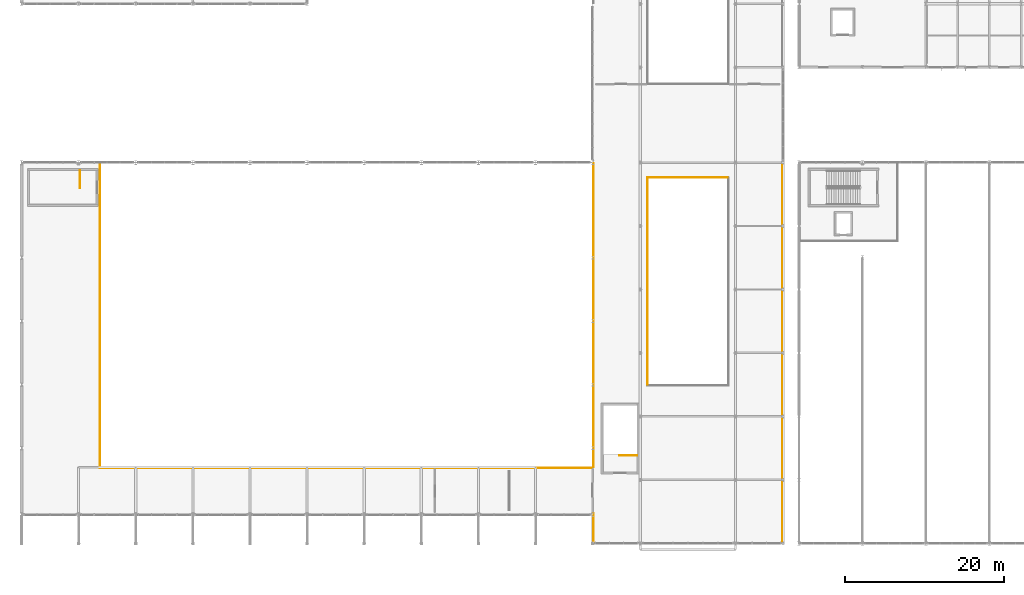
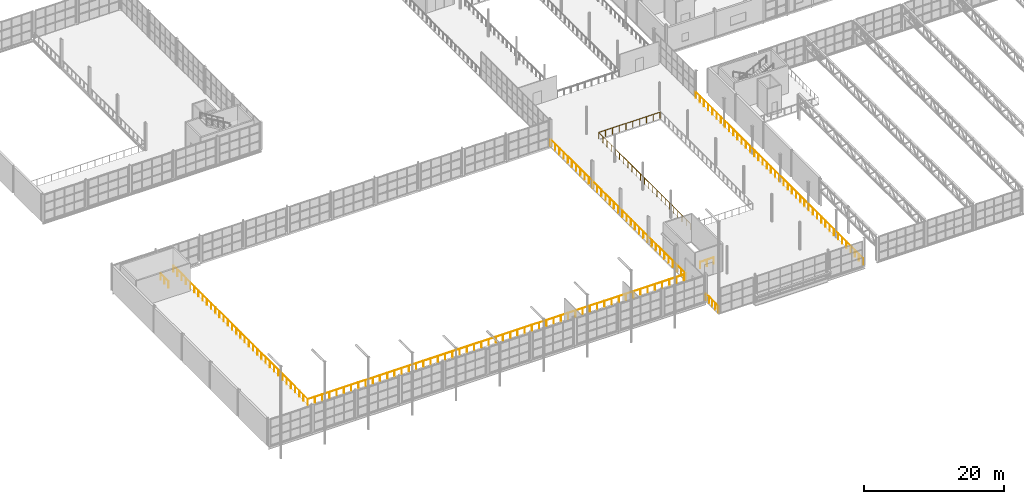
# One storey, part 131 of 143: 7 railings.
"""IFC4 building model written with IfcOpenShell, lengths in metres."""

from ifc_helpers import new_model, si_unit, derived_unit, direction, frame, origin, origin_2d, place, context, subcontext, project, spatial, circle, extrude, material, type_object, element, save


model = new_model("IFC4")

# Units and contexts
model_context = context("Model", 3, precision=1e-05, world=origin(), true_north=direction((0.0, 1.0)))
body_context = subcontext(model_context, "Body", "Model", "MODEL_VIEW")
ifc_project = project(units=[si_unit("LENGTHUNIT", "METRE"), si_unit("AREAUNIT", "SQUARE_METRE"), si_unit("VOLUMEUNIT", "CUBIC_METRE"), si_unit("PLANEANGLEUNIT", "RADIAN"), si_unit("MASSUNIT", "GRAM", prefix="KILO"), derived_unit("THERMALTRANSMITTANCEUNIT", [(si_unit("POWERUNIT", "WATT"), 1), (si_unit("LENGTHUNIT", "METRE"), -2), (si_unit("THERMODYNAMICTEMPERATUREUNIT", "KELVIN"), -1)])], contexts=[model_context])

# Site, building, storey
site_placement = place(None, origin())
site = spatial("IfcSite", under=ifc_project, at=site_placement, CompositionType="ELEMENT")
building_placement = place(site_placement, origin())
building = spatial("IfcBuilding", under=site, at=building_placement, Name="Keldorne Ridge Multi-Sports Centre", CompositionType="ELEMENT")
storey_placement = place(building_placement, frame((0.0, 0.0, 4.800048828125)))
storey = spatial("IfcBuildingStorey", under=building, at=storey_placement, Name="L01", CompositionType="ELEMENT", Elevation=4.800048828125)

# Railings
ifc_material_1 = material(Name="Laminated glass and stainless steel", Category="steel")
railing_type_1 = type_object("IfcRailingType", Name="RLG-BL-01", PredefinedType="BALUSTRADE", material=ifc_material_1)
railing_1_placement = place(storey_placement, frame((83.60009765625, 17.050048828125, 0.0)))
element("IfcRailing", 1, at=railing_1_placement, inside=storey, type_object=railing_type_1, Name="L01 ST-07 top well guard 1", PredefinedType="BALUSTRADE", context=body_context, shape_type="SweptSolid", body=[
    extrude(circle(Radius=0.02392578125, at=origin_2d()), frame((0.0, 0.0, 1.076171875), z_axis=(-1.0, 0.0, 0.0), x_axis=(0.0, -1.0, 0.0)), (0.0, 0.0, 1.0), 2.239990234375),
    extrude(circle(Radius=0.02099609375, at=origin_2d()), origin(), (0.0, 0.0, 1.0), 1.052001953125),
    extrude(circle(Radius=0.02099609375, at=origin_2d()), frame((-1.1201171875, 0.0, 0.0)), (0.0, 0.0, 1.0), 1.052001953125),
    extrude(circle(Radius=0.02099609375, at=origin_2d()), frame((-2.239990234375, 0.0, 0.0)), (0.0, 0.0, 1.0), 1.052001953125),
])
railing_2_placement = place(storey_placement, frame((13.35009765625, 53.0, 0.0)))
element("IfcRailing", 2, at=railing_2_placement, inside=storey, type_object=railing_type_1, Name="L01 ST-09 top well guard 1", PredefinedType="BALUSTRADE", context=body_context, shape_type="SweptSolid", body=[
    extrude(circle(Radius=0.02392578125, at=origin_2d()), frame((0.0, 0.0, 1.076171875), z_axis=(0.0, -1.0, 0.0), x_axis=(1.0, 0.0, 0.0)), (0.0, 0.0, 1.0), 2.22998046875),
    extrude(circle(Radius=0.02099609375, at=origin_2d()), origin(), (0.0, 0.0, 1.0), 1.052001953125),
    extrude(circle(Radius=0.02099609375, at=origin_2d()), frame((0.0, -1.114990234375, 0.0)), (0.0, 0.0, 1.0), 1.052001953125),
    extrude(circle(Radius=0.02099609375, at=origin_2d()), frame((0.0, -2.22998046875, 0.0)), (0.0, 0.0, 1.0), 1.052001953125),
])
railing_3_placement = place(storey_placement, frame((77.800048828125, 15.5, 0.0)))
element("IfcRailing", 3, at=railing_3_placement, inside=storey, type_object=railing_type_1, Name="Safety balustrade RLG-V1-MEZZ", PredefinedType="BALUSTRADE", context=body_context, shape_type="SweptSolid", body=[
    extrude(circle(Radius=0.02392578125, at=origin_2d()), frame((0.0, 0.0, 1.076171875), z_axis=(-1.0, 0.0, 0.0), x_axis=(0.0, -1.0, 0.0)), (0.0, 0.0, 1.0), 61.900146484375),
    extrude(circle(Radius=0.02392578125, at=origin_2d()), frame((-61.900146484375, 0.0, 1.076171875), z_axis=(0.0, 1.0, 0.0), x_axis=(-1.0, 0.0, 0.0)), (0.0, 0.0, 1.0), 38.300048828125),
    extrude(circle(Radius=0.02099609375, at=origin_2d()), origin(), (0.0, 0.0, 1.0), 1.052001953125),
    extrude(circle(Radius=0.02099609375, at=origin_2d()), frame((-1.1904296875, 0.0, 0.0)), (0.0, 0.0, 1.0), 1.052001953125),
    extrude(circle(Radius=0.02099609375, at=origin_2d()), frame((-2.380859375, 0.0, 0.0)), (0.0, 0.0, 1.0), 1.052001953125),
    extrude(circle(Radius=0.02099609375, at=origin_2d()), frame((-3.571044921875, 0.0, 0.0)), (0.0, 0.0, 1.0), 1.052001953125),
    extrude(circle(Radius=0.02099609375, at=origin_2d()), frame((-4.761474609375, 0.0, 0.0)), (0.0, 0.0, 1.0), 1.052001953125),
    extrude(circle(Radius=0.02099609375, at=origin_2d()), frame((-5.951904296875, 0.0, 0.0)), (0.0, 0.0, 1.0), 1.052001953125),
    extrude(circle(Radius=0.02099609375, at=origin_2d()), frame((-7.142333984375, 0.0, 0.0)), (0.0, 0.0, 1.0), 1.052001953125),
    extrude(circle(Radius=0.02099609375, at=origin_2d()), frame((-8.332763671875, 0.0, 0.0)), (0.0, 0.0, 1.0), 1.052001953125),
    extrude(circle(Radius=0.02099609375, at=origin_2d()), frame((-9.523193359375, 0.0, 0.0)), (0.0, 0.0, 1.0), 1.052001953125),
    extrude(circle(Radius=0.02099609375, at=origin_2d()), frame((-10.71337890625, 0.0, 0.0)), (0.0, 0.0, 1.0), 1.052001953125),
    extrude(circle(Radius=0.02099609375, at=origin_2d()), frame((-11.90380859375, 0.0, 0.0)), (0.0, 0.0, 1.0), 1.052001953125),
    extrude(circle(Radius=0.02099609375, at=origin_2d()), frame((-13.09423828125, 0.0, 0.0)), (0.0, 0.0, 1.0), 1.052001953125),
    extrude(circle(Radius=0.02099609375, at=origin_2d()), frame((-14.28466796875, 0.0, 0.0)), (0.0, 0.0, 1.0), 1.052001953125),
    extrude(circle(Radius=0.02099609375, at=origin_2d()), frame((-15.47509765625, 0.0, 0.0)), (0.0, 0.0, 1.0), 1.052001953125),
    extrude(circle(Radius=0.02099609375, at=origin_2d()), frame((-16.66552734375, 0.0, 0.0)), (0.0, 0.0, 1.0), 1.052001953125),
    extrude(circle(Radius=0.02099609375, at=origin_2d()), frame((-17.855712890625, 0.0, 0.0)), (0.0, 0.0, 1.0), 1.052001953125),
    extrude(circle(Radius=0.02099609375, at=origin_2d()), frame((-19.046142578125, 0.0, 0.0)), (0.0, 0.0, 1.0), 1.052001953125),
    extrude(circle(Radius=0.02099609375, at=origin_2d()), frame((-20.236572265625, 0.0, 0.0)), (0.0, 0.0, 1.0), 1.052001953125),
    extrude(circle(Radius=0.02099609375, at=origin_2d()), frame((-21.427001953125, 0.0, 0.0)), (0.0, 0.0, 1.0), 1.052001953125),
    extrude(circle(Radius=0.02099609375, at=origin_2d()), frame((-22.617431640625, 0.0, 0.0)), (0.0, 0.0, 1.0), 1.052001953125),
    extrude(circle(Radius=0.02099609375, at=origin_2d()), frame((-23.807861328125, 0.0, 0.0)), (0.0, 0.0, 1.0), 1.052001953125),
    extrude(circle(Radius=0.02099609375, at=origin_2d()), frame((-24.998046875, 0.0, 0.0)), (0.0, 0.0, 1.0), 1.052001953125),
    extrude(circle(Radius=0.02099609375, at=origin_2d()), frame((-26.1884765625, 0.0, 0.0)), (0.0, 0.0, 1.0), 1.052001953125),
    extrude(circle(Radius=0.02099609375, at=origin_2d()), frame((-27.37890625, 0.0, 0.0)), (0.0, 0.0, 1.0), 1.052001953125),
    extrude(circle(Radius=0.02099609375, at=origin_2d()), frame((-28.5693359375, 0.0, 0.0)), (0.0, 0.0, 1.0), 1.052001953125),
    extrude(circle(Radius=0.02099609375, at=origin_2d()), frame((-29.759765625, 0.0, 0.0)), (0.0, 0.0, 1.0), 1.052001953125),
    extrude(circle(Radius=0.02099609375, at=origin_2d()), frame((-30.9501953125, 0.0, 0.0)), (0.0, 0.0, 1.0), 1.052001953125),
    extrude(circle(Radius=0.02099609375, at=origin_2d()), frame((-32.140380859375, 0.0, 0.0)), (0.0, 0.0, 1.0), 1.052001953125),
    extrude(circle(Radius=0.02099609375, at=origin_2d()), frame((-33.330810546875, 0.0, 0.0)), (0.0, 0.0, 1.0), 1.052001953125),
    extrude(circle(Radius=0.02099609375, at=origin_2d()), frame((-34.521240234375, 0.0, 0.0)), (0.0, 0.0, 1.0), 1.052001953125),
    extrude(circle(Radius=0.02099609375, at=origin_2d()), frame((-35.711669921875, 0.0, 0.0)), (0.0, 0.0, 1.0), 1.052001953125),
    extrude(circle(Radius=0.02099609375, at=origin_2d()), frame((-36.902099609375, 0.0, 0.0)), (0.0, 0.0, 1.0), 1.052001953125),
    extrude(circle(Radius=0.02099609375, at=origin_2d()), frame((-38.09228515625, 0.0, 0.0)), (0.0, 0.0, 1.0), 1.052001953125),
    extrude(circle(Radius=0.02099609375, at=origin_2d()), frame((-39.28271484375, 0.0, 0.0)), (0.0, 0.0, 1.0), 1.052001953125),
    extrude(circle(Radius=0.02099609375, at=origin_2d()), frame((-40.47314453125, 0.0, 0.0)), (0.0, 0.0, 1.0), 1.052001953125),
    extrude(circle(Radius=0.02099609375, at=origin_2d()), frame((-41.66357421875, 0.0, 0.0)), (0.0, 0.0, 1.0), 1.052001953125),
    extrude(circle(Radius=0.02099609375, at=origin_2d()), frame((-42.85400390625, 0.0, 0.0)), (0.0, 0.0, 1.0), 1.052001953125),
    extrude(circle(Radius=0.02099609375, at=origin_2d()), frame((-44.04443359375, 0.0, 0.0)), (0.0, 0.0, 1.0), 1.052001953125),
    extrude(circle(Radius=0.02099609375, at=origin_2d()), frame((-45.234619140625, 0.0, 0.0)), (0.0, 0.0, 1.0), 1.052001953125),
    extrude(circle(Radius=0.02099609375, at=origin_2d()), frame((-46.425048828125, 0.0, 0.0)), (0.0, 0.0, 1.0), 1.052001953125),
    extrude(circle(Radius=0.02099609375, at=origin_2d()), frame((-47.615478515625, 0.0, 0.0)), (0.0, 0.0, 1.0), 1.052001953125),
    extrude(circle(Radius=0.02099609375, at=origin_2d()), frame((-48.805908203125, 0.0, 0.0)), (0.0, 0.0, 1.0), 1.052001953125),
    extrude(circle(Radius=0.02099609375, at=origin_2d()), frame((-49.996337890625, 0.0, 0.0)), (0.0, 0.0, 1.0), 1.052001953125),
    extrude(circle(Radius=0.02099609375, at=origin_2d()), frame((-51.186767578125, 0.0, 0.0)), (0.0, 0.0, 1.0), 1.052001953125),
    extrude(circle(Radius=0.02099609375, at=origin_2d()), frame((-52.376953125, 0.0, 0.0)), (0.0, 0.0, 1.0), 1.052001953125),
    extrude(circle(Radius=0.02099609375, at=origin_2d()), frame((-53.5673828125, 0.0, 0.0)), (0.0, 0.0, 1.0), 1.052001953125),
    extrude(circle(Radius=0.02099609375, at=origin_2d()), frame((-54.7578125, 0.0, 0.0)), (0.0, 0.0, 1.0), 1.052001953125),
    extrude(circle(Radius=0.02099609375, at=origin_2d()), frame((-55.9482421875, 0.0, 0.0)), (0.0, 0.0, 1.0), 1.052001953125),
    extrude(circle(Radius=0.02099609375, at=origin_2d()), frame((-57.138671875, 0.0, 0.0)), (0.0, 0.0, 1.0), 1.052001953125),
    extrude(circle(Radius=0.02099609375, at=origin_2d()), frame((-58.3291015625, 0.0, 0.0)), (0.0, 0.0, 1.0), 1.052001953125),
    extrude(circle(Radius=0.02099609375, at=origin_2d()), frame((-59.519287109375, 0.0, 0.0)), (0.0, 0.0, 1.0), 1.052001953125),
    extrude(circle(Radius=0.02099609375, at=origin_2d()), frame((-60.709716796875, 0.0, 0.0)), (0.0, 0.0, 1.0), 1.052001953125),
    extrude(circle(Radius=0.02099609375, at=origin_2d()), frame((-61.900146484375, 0.0, 0.0)), (0.0, 0.0, 1.0), 1.052001953125),
    extrude(circle(Radius=0.02099609375, at=origin_2d()), frame((-61.900146484375, 1.19677734375, 0.0)), (0.0, 0.0, 1.0), 1.052001953125),
    extrude(circle(Radius=0.02099609375, at=origin_2d()), frame((-61.900146484375, 2.393798828125, 0.0)), (0.0, 0.0, 1.0), 1.052001953125),
    extrude(circle(Radius=0.02099609375, at=origin_2d()), frame((-61.900146484375, 3.590576171875, 0.0)), (0.0, 0.0, 1.0), 1.052001953125),
    extrude(circle(Radius=0.02099609375, at=origin_2d()), frame((-61.900146484375, 4.78759765625, 0.0)), (0.0, 0.0, 1.0), 1.052001953125),
    extrude(circle(Radius=0.02099609375, at=origin_2d()), frame((-61.900146484375, 5.984375, 0.0)), (0.0, 0.0, 1.0), 1.052001953125),
    extrude(circle(Radius=0.02099609375, at=origin_2d()), frame((-61.900146484375, 7.18115234375, 0.0)), (0.0, 0.0, 1.0), 1.052001953125),
    extrude(circle(Radius=0.02099609375, at=origin_2d()), frame((-61.900146484375, 8.378173828125, 0.0)), (0.0, 0.0, 1.0), 1.052001953125),
    extrude(circle(Radius=0.02099609375, at=origin_2d()), frame((-61.900146484375, 9.574951171875, 0.0)), (0.0, 0.0, 1.0), 1.052001953125),
    extrude(circle(Radius=0.02099609375, at=origin_2d()), frame((-61.900146484375, 10.77197265625, 0.0)), (0.0, 0.0, 1.0), 1.052001953125),
    extrude(circle(Radius=0.02099609375, at=origin_2d()), frame((-61.900146484375, 11.96875, 0.0)), (0.0, 0.0, 1.0), 1.052001953125),
    extrude(circle(Radius=0.02099609375, at=origin_2d()), frame((-61.900146484375, 13.16552734375, 0.0)), (0.0, 0.0, 1.0), 1.052001953125),
    extrude(circle(Radius=0.02099609375, at=origin_2d()), frame((-61.900146484375, 14.362548828125, 0.0)), (0.0, 0.0, 1.0), 1.052001953125),
    extrude(circle(Radius=0.02099609375, at=origin_2d()), frame((-61.900146484375, 15.559326171875, 0.0)), (0.0, 0.0, 1.0), 1.052001953125),
    extrude(circle(Radius=0.02099609375, at=origin_2d()), frame((-61.900146484375, 16.75634765625, 0.0)), (0.0, 0.0, 1.0), 1.052001953125),
    extrude(circle(Radius=0.02099609375, at=origin_2d()), frame((-61.900146484375, 17.953125, 0.0)), (0.0, 0.0, 1.0), 1.052001953125),
    extrude(circle(Radius=0.02099609375, at=origin_2d()), frame((-61.900146484375, 19.14990234375, 0.0)), (0.0, 0.0, 1.0), 1.052001953125),
    extrude(circle(Radius=0.02099609375, at=origin_2d()), frame((-61.900146484375, 20.346923828125, 0.0)), (0.0, 0.0, 1.0), 1.052001953125),
    extrude(circle(Radius=0.02099609375, at=origin_2d()), frame((-61.900146484375, 21.543701171875, 0.0)), (0.0, 0.0, 1.0), 1.052001953125),
    extrude(circle(Radius=0.02099609375, at=origin_2d()), frame((-61.900146484375, 22.74072265625, 0.0)), (0.0, 0.0, 1.0), 1.052001953125),
    extrude(circle(Radius=0.02099609375, at=origin_2d()), frame((-61.900146484375, 23.9375, 0.0)), (0.0, 0.0, 1.0), 1.052001953125),
    extrude(circle(Radius=0.02099609375, at=origin_2d()), frame((-61.900146484375, 25.134521484375, 0.0)), (0.0, 0.0, 1.0), 1.052001953125),
    extrude(circle(Radius=0.02099609375, at=origin_2d()), frame((-61.900146484375, 26.331298828125, 0.0)), (0.0, 0.0, 1.0), 1.052001953125),
    extrude(circle(Radius=0.02099609375, at=origin_2d()), frame((-61.900146484375, 27.528076171875, 0.0)), (0.0, 0.0, 1.0), 1.052001953125),
    extrude(circle(Radius=0.02099609375, at=origin_2d()), frame((-61.900146484375, 28.72509765625, 0.0)), (0.0, 0.0, 1.0), 1.052001953125),
    extrude(circle(Radius=0.02099609375, at=origin_2d()), frame((-61.900146484375, 29.921875, 0.0)), (0.0, 0.0, 1.0), 1.052001953125),
    extrude(circle(Radius=0.02099609375, at=origin_2d()), frame((-61.900146484375, 31.118896484375, 0.0)), (0.0, 0.0, 1.0), 1.052001953125),
    extrude(circle(Radius=0.02099609375, at=origin_2d()), frame((-61.900146484375, 32.315673828125, 0.0)), (0.0, 0.0, 1.0), 1.052001953125),
    extrude(circle(Radius=0.02099609375, at=origin_2d()), frame((-61.900146484375, 33.512451171875, 0.0)), (0.0, 0.0, 1.0), 1.052001953125),
    extrude(circle(Radius=0.02099609375, at=origin_2d()), frame((-61.900146484375, 34.70947265625, 0.0)), (0.0, 0.0, 1.0), 1.052001953125),
    extrude(circle(Radius=0.02099609375, at=origin_2d()), frame((-61.900146484375, 35.90625, 0.0)), (0.0, 0.0, 1.0), 1.052001953125),
    extrude(circle(Radius=0.02099609375, at=origin_2d()), frame((-61.900146484375, 37.103271484375, 0.0)), (0.0, 0.0, 1.0), 1.052001953125),
    extrude(circle(Radius=0.02099609375, at=origin_2d()), frame((-61.900146484375, 38.300048828125, 0.0)), (0.0, 0.0, 1.0), 1.052001953125),
])
ifc_material_2 = material(Name="Painted steel", Category="steel")
railing_type_2 = type_object("IfcRailingType", Name="RLG-BL-02", PredefinedType="BALUSTRADE", material=ifc_material_2)
railing_4_placement = place(storey_placement, frame((78.10009765625, 15.60009765625, 0.0)))
element("IfcRailing", 4, at=railing_4_placement, inside=storey, type_object=railing_type_2, Name="Safety balustrade RLG-V4-WEST-S", PredefinedType="BALUSTRADE", context=body_context, shape_type="SweptSolid", body=[
    extrude(circle(Radius=0.02392578125, at=origin_2d()), frame((0.0, 0.0, 1.1259765625), z_axis=(0.0, 1.0, 0.0), x_axis=(-1.0, 0.0, 0.0)), (0.0, 0.0, 1.0), 38.2998046875),
    extrude(circle(Radius=0.02099609375, at=origin_2d()), origin(), (0.0, 0.0, 1.0), 1.101806640625),
    extrude(circle(Radius=0.02099609375, at=origin_2d()), frame((0.0, 1.19677734375, 0.0)), (0.0, 0.0, 1.0), 1.101806640625),
    extrude(circle(Radius=0.02099609375, at=origin_2d()), frame((0.0, 2.393798828125, 0.0)), (0.0, 0.0, 1.0), 1.101806640625),
    extrude(circle(Radius=0.02099609375, at=origin_2d()), frame((0.0, 3.590576171875, 0.0)), (0.0, 0.0, 1.0), 1.101806640625),
    extrude(circle(Radius=0.02099609375, at=origin_2d()), frame((0.0, 4.78759765625, 0.0)), (0.0, 0.0, 1.0), 1.101806640625),
    extrude(circle(Radius=0.02099609375, at=origin_2d()), frame((0.0, 5.984375, 0.0)), (0.0, 0.0, 1.0), 1.101806640625),
    extrude(circle(Radius=0.02099609375, at=origin_2d()), frame((0.0, 7.18115234375, 0.0)), (0.0, 0.0, 1.0), 1.101806640625),
    extrude(circle(Radius=0.02099609375, at=origin_2d()), frame((0.0, 8.378173828125, 0.0)), (0.0, 0.0, 1.0), 1.101806640625),
    extrude(circle(Radius=0.02099609375, at=origin_2d()), frame((0.0, 9.574951171875, 0.0)), (0.0, 0.0, 1.0), 1.101806640625),
    extrude(circle(Radius=0.02099609375, at=origin_2d()), frame((0.0, 10.771728515625, 0.0)), (0.0, 0.0, 1.0), 1.101806640625),
    extrude(circle(Radius=0.02099609375, at=origin_2d()), frame((0.0, 11.96875, 0.0)), (0.0, 0.0, 1.0), 1.101806640625),
    extrude(circle(Radius=0.02099609375, at=origin_2d()), frame((0.0, 13.16552734375, 0.0)), (0.0, 0.0, 1.0), 1.101806640625),
    extrude(circle(Radius=0.02099609375, at=origin_2d()), frame((0.0, 14.3623046875, 0.0)), (0.0, 0.0, 1.0), 1.101806640625),
    extrude(circle(Radius=0.02099609375, at=origin_2d()), frame((0.0, 15.559326171875, 0.0)), (0.0, 0.0, 1.0), 1.101806640625),
    extrude(circle(Radius=0.02099609375, at=origin_2d()), frame((0.0, 16.756103515625, 0.0)), (0.0, 0.0, 1.0), 1.101806640625),
    extrude(circle(Radius=0.02099609375, at=origin_2d()), frame((0.0, 17.953125, 0.0)), (0.0, 0.0, 1.0), 1.101806640625),
    extrude(circle(Radius=0.02099609375, at=origin_2d()), frame((0.0, 19.14990234375, 0.0)), (0.0, 0.0, 1.0), 1.101806640625),
    extrude(circle(Radius=0.02099609375, at=origin_2d()), frame((0.0, 20.3466796875, 0.0)), (0.0, 0.0, 1.0), 1.101806640625),
    extrude(circle(Radius=0.02099609375, at=origin_2d()), frame((0.0, 21.543701171875, 0.0)), (0.0, 0.0, 1.0), 1.101806640625),
    extrude(circle(Radius=0.02099609375, at=origin_2d()), frame((0.0, 22.740478515625, 0.0)), (0.0, 0.0, 1.0), 1.101806640625),
    extrude(circle(Radius=0.02099609375, at=origin_2d()), frame((0.0, 23.9375, 0.0)), (0.0, 0.0, 1.0), 1.101806640625),
    extrude(circle(Radius=0.02099609375, at=origin_2d()), frame((0.0, 25.13427734375, 0.0)), (0.0, 0.0, 1.0), 1.101806640625),
    extrude(circle(Radius=0.02099609375, at=origin_2d()), frame((0.0, 26.3310546875, 0.0)), (0.0, 0.0, 1.0), 1.101806640625),
    extrude(circle(Radius=0.02099609375, at=origin_2d()), frame((0.0, 27.528076171875, 0.0)), (0.0, 0.0, 1.0), 1.101806640625),
    extrude(circle(Radius=0.02099609375, at=origin_2d()), frame((0.0, 28.724853515625, 0.0)), (0.0, 0.0, 1.0), 1.101806640625),
    extrude(circle(Radius=0.02099609375, at=origin_2d()), frame((0.0, 29.921630859375, 0.0)), (0.0, 0.0, 1.0), 1.101806640625),
    extrude(circle(Radius=0.02099609375, at=origin_2d()), frame((0.0, 31.11865234375, 0.0)), (0.0, 0.0, 1.0), 1.101806640625),
    extrude(circle(Radius=0.02099609375, at=origin_2d()), frame((0.0, 32.3154296875, 0.0)), (0.0, 0.0, 1.0), 1.101806640625),
    extrude(circle(Radius=0.02099609375, at=origin_2d()), frame((0.0, 33.51220703125, 0.0)), (0.0, 0.0, 1.0), 1.101806640625),
    extrude(circle(Radius=0.02099609375, at=origin_2d()), frame((0.0, 34.709228515625, 0.0)), (0.0, 0.0, 1.0), 1.101806640625),
    extrude(circle(Radius=0.02099609375, at=origin_2d()), frame((0.0, 35.906005859375, 0.0)), (0.0, 0.0, 1.0), 1.101806640625),
    extrude(circle(Radius=0.02099609375, at=origin_2d()), frame((0.0, 37.10302734375, 0.0)), (0.0, 0.0, 1.0), 1.101806640625),
    extrude(circle(Radius=0.02099609375, at=origin_2d()), frame((0.0, 38.2998046875, 0.0)), (0.0, 0.0, 1.0), 1.101806640625),
])
railing_5_placement = place(storey_placement, frame((78.10009765625, 6.14990234375, 0.0)))
element("IfcRailing", 5, at=railing_5_placement, inside=storey, type_object=railing_type_2, Name="Safety balustrade RLG-V4-WEST-GS", PredefinedType="BALUSTRADE", context=body_context, shape_type="SweptSolid", body=[
    extrude(circle(Radius=0.02392578125, at=origin_2d()), frame((0.0, 0.0, 1.1259765625), z_axis=(0.0, 1.0, 0.0), x_axis=(-1.0, 0.0, 0.0)), (0.0, 0.0, 1.0), 3.60009765625),
    extrude(circle(Radius=0.02099609375, at=origin_2d()), origin(), (0.0, 0.0, 1.0), 1.101806640625),
    extrude(circle(Radius=0.02099609375, at=origin_2d()), frame((0.0, 0.89990234375, 0.0)), (0.0, 0.0, 1.0), 1.101806640625),
    extrude(circle(Radius=0.02099609375, at=origin_2d()), frame((0.0, 1.800048828125, 0.0)), (0.0, 0.0, 1.0), 1.101806640625),
    extrude(circle(Radius=0.02099609375, at=origin_2d()), frame((0.0, 2.7001953125, 0.0)), (0.0, 0.0, 1.0), 1.101806640625),
    extrude(circle(Radius=0.02099609375, at=origin_2d()), frame((0.0, 3.60009765625, 0.0)), (0.0, 0.0, 1.0), 1.101806640625),
])
railing_6_placement = place(storey_placement, frame((101.89990234375, 6.14990234375, 0.0)))
element("IfcRailing", 6, at=railing_6_placement, inside=storey, type_object=railing_type_2, Name="Safety balustrade RLG-V4-EAST-S", PredefinedType="BALUSTRADE", context=body_context, shape_type="SweptSolid", body=[
    extrude(circle(Radius=0.02392578125, at=origin_2d()), frame((0.0, 0.0, 1.1259765625), z_axis=(0.0, 1.0, 0.0), x_axis=(-1.0, 0.0, 0.0)), (0.0, 0.0, 1.0), 47.75),
    extrude(circle(Radius=0.02099609375, at=origin_2d()), origin(), (0.0, 0.0, 1.0), 1.101806640625),
    extrude(circle(Radius=0.02099609375, at=origin_2d()), frame((0.0, 1.19384765625, 0.0)), (0.0, 0.0, 1.0), 1.101806640625),
    extrude(circle(Radius=0.02099609375, at=origin_2d()), frame((0.0, 2.387451171875, 0.0)), (0.0, 0.0, 1.0), 1.101806640625),
    extrude(circle(Radius=0.02099609375, at=origin_2d()), frame((0.0, 3.581298828125, 0.0)), (0.0, 0.0, 1.0), 1.101806640625),
    extrude(circle(Radius=0.02099609375, at=origin_2d()), frame((0.0, 4.77490234375, 0.0)), (0.0, 0.0, 1.0), 1.101806640625),
    extrude(circle(Radius=0.02099609375, at=origin_2d()), frame((0.0, 5.96875, 0.0)), (0.0, 0.0, 1.0), 1.101806640625),
    extrude(circle(Radius=0.02099609375, at=origin_2d()), frame((0.0, 7.16259765625, 0.0)), (0.0, 0.0, 1.0), 1.101806640625),
    extrude(circle(Radius=0.02099609375, at=origin_2d()), frame((0.0, 8.356201171875, 0.0)), (0.0, 0.0, 1.0), 1.101806640625),
    extrude(circle(Radius=0.02099609375, at=origin_2d()), frame((0.0, 9.550048828125, 0.0)), (0.0, 0.0, 1.0), 1.101806640625),
    extrude(circle(Radius=0.02099609375, at=origin_2d()), frame((0.0, 10.74365234375, 0.0)), (0.0, 0.0, 1.0), 1.101806640625),
    extrude(circle(Radius=0.02099609375, at=origin_2d()), frame((0.0, 11.9375, 0.0)), (0.0, 0.0, 1.0), 1.101806640625),
    extrude(circle(Radius=0.02099609375, at=origin_2d()), frame((0.0, 13.13134765625, 0.0)), (0.0, 0.0, 1.0), 1.101806640625),
    extrude(circle(Radius=0.02099609375, at=origin_2d()), frame((0.0, 14.324951171875, 0.0)), (0.0, 0.0, 1.0), 1.101806640625),
    extrude(circle(Radius=0.02099609375, at=origin_2d()), frame((0.0, 15.518798828125, 0.0)), (0.0, 0.0, 1.0), 1.101806640625),
    extrude(circle(Radius=0.02099609375, at=origin_2d()), frame((0.0, 16.71240234375, 0.0)), (0.0, 0.0, 1.0), 1.101806640625),
    extrude(circle(Radius=0.02099609375, at=origin_2d()), frame((0.0, 17.90625, 0.0)), (0.0, 0.0, 1.0), 1.101806640625),
    extrude(circle(Radius=0.02099609375, at=origin_2d()), frame((0.0, 19.10009765625, 0.0)), (0.0, 0.0, 1.0), 1.101806640625),
    extrude(circle(Radius=0.02099609375, at=origin_2d()), frame((0.0, 20.293701171875, 0.0)), (0.0, 0.0, 1.0), 1.101806640625),
    extrude(circle(Radius=0.02099609375, at=origin_2d()), frame((0.0, 21.487548828125, 0.0)), (0.0, 0.0, 1.0), 1.101806640625),
    extrude(circle(Radius=0.02099609375, at=origin_2d()), frame((0.0, 22.68115234375, 0.0)), (0.0, 0.0, 1.0), 1.101806640625),
    extrude(circle(Radius=0.02099609375, at=origin_2d()), frame((0.0, 23.875, 0.0)), (0.0, 0.0, 1.0), 1.101806640625),
    extrude(circle(Radius=0.02099609375, at=origin_2d()), frame((0.0, 25.06884765625, 0.0)), (0.0, 0.0, 1.0), 1.101806640625),
    extrude(circle(Radius=0.02099609375, at=origin_2d()), frame((0.0, 26.262451171875, 0.0)), (0.0, 0.0, 1.0), 1.101806640625),
    extrude(circle(Radius=0.02099609375, at=origin_2d()), frame((0.0, 27.456298828125, 0.0)), (0.0, 0.0, 1.0), 1.101806640625),
    extrude(circle(Radius=0.02099609375, at=origin_2d()), frame((0.0, 28.64990234375, 0.0)), (0.0, 0.0, 1.0), 1.101806640625),
    extrude(circle(Radius=0.02099609375, at=origin_2d()), frame((0.0, 29.84375, 0.0)), (0.0, 0.0, 1.0), 1.101806640625),
    extrude(circle(Radius=0.02099609375, at=origin_2d()), frame((0.0, 31.03759765625, 0.0)), (0.0, 0.0, 1.0), 1.101806640625),
    extrude(circle(Radius=0.02099609375, at=origin_2d()), frame((0.0, 32.231201171875, 0.0)), (0.0, 0.0, 1.0), 1.101806640625),
    extrude(circle(Radius=0.02099609375, at=origin_2d()), frame((0.0, 33.425048828125, 0.0)), (0.0, 0.0, 1.0), 1.101806640625),
    extrude(circle(Radius=0.02099609375, at=origin_2d()), frame((0.0, 34.61865234375, 0.0)), (0.0, 0.0, 1.0), 1.101806640625),
    extrude(circle(Radius=0.02099609375, at=origin_2d()), frame((0.0, 35.8125, 0.0)), (0.0, 0.0, 1.0), 1.101806640625),
    extrude(circle(Radius=0.02099609375, at=origin_2d()), frame((0.0, 37.00634765625, 0.0)), (0.0, 0.0, 1.0), 1.101806640625),
    extrude(circle(Radius=0.02099609375, at=origin_2d()), frame((0.0, 38.199951171875, 0.0)), (0.0, 0.0, 1.0), 1.101806640625),
    extrude(circle(Radius=0.02099609375, at=origin_2d()), frame((0.0, 39.393798828125, 0.0)), (0.0, 0.0, 1.0), 1.101806640625),
    extrude(circle(Radius=0.02099609375, at=origin_2d()), frame((0.0, 40.58740234375, 0.0)), (0.0, 0.0, 1.0), 1.101806640625),
    extrude(circle(Radius=0.02099609375, at=origin_2d()), frame((0.0, 41.78125, 0.0)), (0.0, 0.0, 1.0), 1.101806640625),
    extrude(circle(Radius=0.02099609375, at=origin_2d()), frame((0.0, 42.97509765625, 0.0)), (0.0, 0.0, 1.0), 1.101806640625),
    extrude(circle(Radius=0.02099609375, at=origin_2d()), frame((0.0, 44.168701171875, 0.0)), (0.0, 0.0, 1.0), 1.101806640625),
    extrude(circle(Radius=0.02099609375, at=origin_2d()), frame((0.0, 45.362548828125, 0.0)), (0.0, 0.0, 1.0), 1.101806640625),
    extrude(circle(Radius=0.02099609375, at=origin_2d()), frame((0.0, 46.55615234375, 0.0)), (0.0, 0.0, 1.0), 1.101806640625),
    extrude(circle(Radius=0.02099609375, at=origin_2d()), frame((0.0, 47.75, 0.0)), (0.0, 0.0, 1.0), 1.101806640625),
])
railing_7_placement = place(storey_placement, frame((95.0, 52.10009765625, 0.0)))
element("IfcRailing", 7, at=railing_7_placement, inside=storey, type_object=railing_type_2, Name="Safety balustrade RLG-V4-VD1B", PredefinedType="BALUSTRADE", context=body_context, shape_type="SweptSolid", body=[
    extrude(circle(Radius=0.02392578125, at=origin_2d()), frame((0.0, 0.0, 1.1259765625), z_axis=(-1.0, 0.0, 0.0), x_axis=(0.0, -1.0, 0.0)), (0.0, 0.0, 1.0), 10.10009765625),
    extrude(circle(Radius=0.02392578125, at=origin_2d()), frame((-10.10009765625, 0.0, 1.1259765625), z_axis=(0.0, -1.0, 0.0), x_axis=(1.0, 0.0, 0.0)), (0.0, 0.0, 1.0), 26.10009765625),
    extrude(circle(Radius=0.02099609375, at=origin_2d()), origin(), (0.0, 0.0, 1.0), 1.101806640625),
    extrude(circle(Radius=0.02099609375, at=origin_2d()), frame((-1.122314453125, 0.0, 0.0)), (0.0, 0.0, 1.0), 1.101806640625),
    extrude(circle(Radius=0.02099609375, at=origin_2d()), frame((-2.244384765625, 0.0, 0.0)), (0.0, 0.0, 1.0), 1.101806640625),
    extrude(circle(Radius=0.02099609375, at=origin_2d()), frame((-3.36669921875, 0.0, 0.0)), (0.0, 0.0, 1.0), 1.101806640625),
    extrude(circle(Radius=0.02099609375, at=origin_2d()), frame((-4.489013671875, 0.0, 0.0)), (0.0, 0.0, 1.0), 1.101806640625),
    extrude(circle(Radius=0.02099609375, at=origin_2d()), frame((-5.611083984375, 0.0, 0.0)), (0.0, 0.0, 1.0), 1.101806640625),
    extrude(circle(Radius=0.02099609375, at=origin_2d()), frame((-6.7333984375, 0.0, 0.0)), (0.0, 0.0, 1.0), 1.101806640625),
    extrude(circle(Radius=0.02099609375, at=origin_2d()), frame((-7.855712890625, 0.0, 0.0)), (0.0, 0.0, 1.0), 1.101806640625),
    extrude(circle(Radius=0.02099609375, at=origin_2d()), frame((-8.977783203125, 0.0, 0.0)), (0.0, 0.0, 1.0), 1.101806640625),
    extrude(circle(Radius=0.02099609375, at=origin_2d()), frame((-10.10009765625, 0.0, 0.0)), (0.0, 0.0, 1.0), 1.101806640625),
    extrude(circle(Radius=0.02099609375, at=origin_2d()), frame((-10.10009765625, -1.186279296875, 0.0)), (0.0, 0.0, 1.0), 1.101806640625),
    extrude(circle(Radius=0.02099609375, at=origin_2d()), frame((-10.10009765625, -2.372802734375, 0.0)), (0.0, 0.0, 1.0), 1.101806640625),
    extrude(circle(Radius=0.02099609375, at=origin_2d()), frame((-10.10009765625, -3.55908203125, 0.0)), (0.0, 0.0, 1.0), 1.101806640625),
    extrude(circle(Radius=0.02099609375, at=origin_2d()), frame((-10.10009765625, -4.745361328125, 0.0)), (0.0, 0.0, 1.0), 1.101806640625),
    extrude(circle(Radius=0.02099609375, at=origin_2d()), frame((-10.10009765625, -5.931884765625, 0.0)), (0.0, 0.0, 1.0), 1.101806640625),
    extrude(circle(Radius=0.02099609375, at=origin_2d()), frame((-10.10009765625, -7.1181640625, 0.0)), (0.0, 0.0, 1.0), 1.101806640625),
    extrude(circle(Radius=0.02099609375, at=origin_2d()), frame((-10.10009765625, -8.3046875, 0.0)), (0.0, 0.0, 1.0), 1.101806640625),
    extrude(circle(Radius=0.02099609375, at=origin_2d()), frame((-10.10009765625, -9.490966796875, 0.0)), (0.0, 0.0, 1.0), 1.101806640625),
    extrude(circle(Radius=0.02099609375, at=origin_2d()), frame((-10.10009765625, -10.67724609375, 0.0)), (0.0, 0.0, 1.0), 1.101806640625),
    extrude(circle(Radius=0.02099609375, at=origin_2d()), frame((-10.10009765625, -11.86376953125, 0.0)), (0.0, 0.0, 1.0), 1.101806640625),
    extrude(circle(Radius=0.02099609375, at=origin_2d()), frame((-10.10009765625, -13.050048828125, 0.0)), (0.0, 0.0, 1.0), 1.101806640625),
    extrude(circle(Radius=0.02099609375, at=origin_2d()), frame((-10.10009765625, -14.236328125, 0.0)), (0.0, 0.0, 1.0), 1.101806640625),
    extrude(circle(Radius=0.02099609375, at=origin_2d()), frame((-10.10009765625, -15.4228515625, 0.0)), (0.0, 0.0, 1.0), 1.101806640625),
    extrude(circle(Radius=0.02099609375, at=origin_2d()), frame((-10.10009765625, -16.609130859375, 0.0)), (0.0, 0.0, 1.0), 1.101806640625),
    extrude(circle(Radius=0.02099609375, at=origin_2d()), frame((-10.10009765625, -17.79541015625, 0.0)), (0.0, 0.0, 1.0), 1.101806640625),
    extrude(circle(Radius=0.02099609375, at=origin_2d()), frame((-10.10009765625, -18.98193359375, 0.0)), (0.0, 0.0, 1.0), 1.101806640625),
    extrude(circle(Radius=0.02099609375, at=origin_2d()), frame((-10.10009765625, -20.168212890625, 0.0)), (0.0, 0.0, 1.0), 1.101806640625),
    extrude(circle(Radius=0.02099609375, at=origin_2d()), frame((-10.10009765625, -21.354736328125, 0.0)), (0.0, 0.0, 1.0), 1.101806640625),
    extrude(circle(Radius=0.02099609375, at=origin_2d()), frame((-10.10009765625, -22.541015625, 0.0)), (0.0, 0.0, 1.0), 1.101806640625),
    extrude(circle(Radius=0.02099609375, at=origin_2d()), frame((-10.10009765625, -23.727294921875, 0.0)), (0.0, 0.0, 1.0), 1.101806640625),
    extrude(circle(Radius=0.02099609375, at=origin_2d()), frame((-10.10009765625, -24.913818359375, 0.0)), (0.0, 0.0, 1.0), 1.101806640625),
    extrude(circle(Radius=0.02099609375, at=origin_2d()), frame((-10.10009765625, -26.10009765625, 0.0)), (0.0, 0.0, 1.0), 1.101806640625),
])

save(model, "model.ifc")
